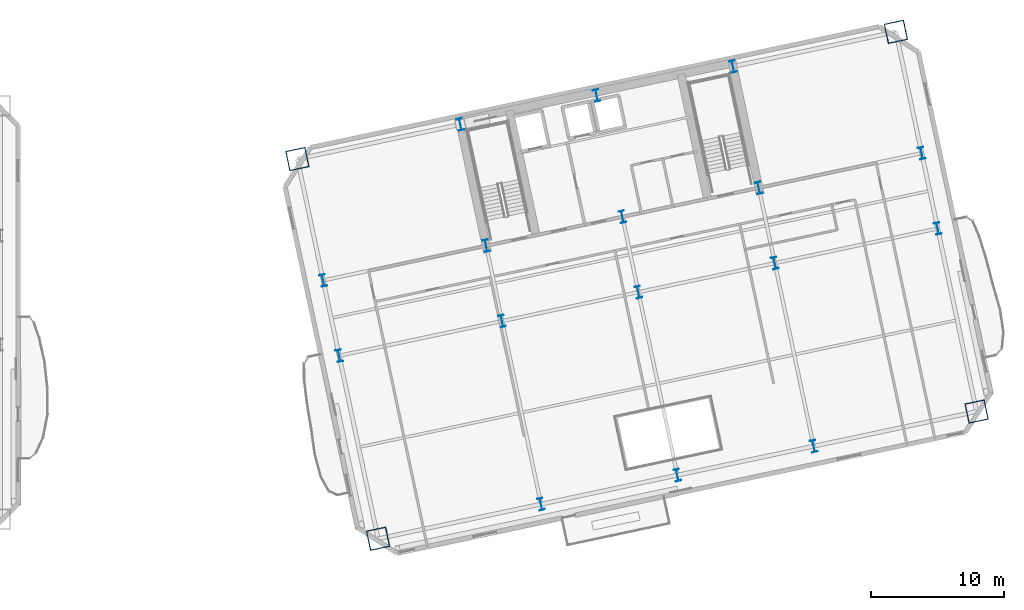
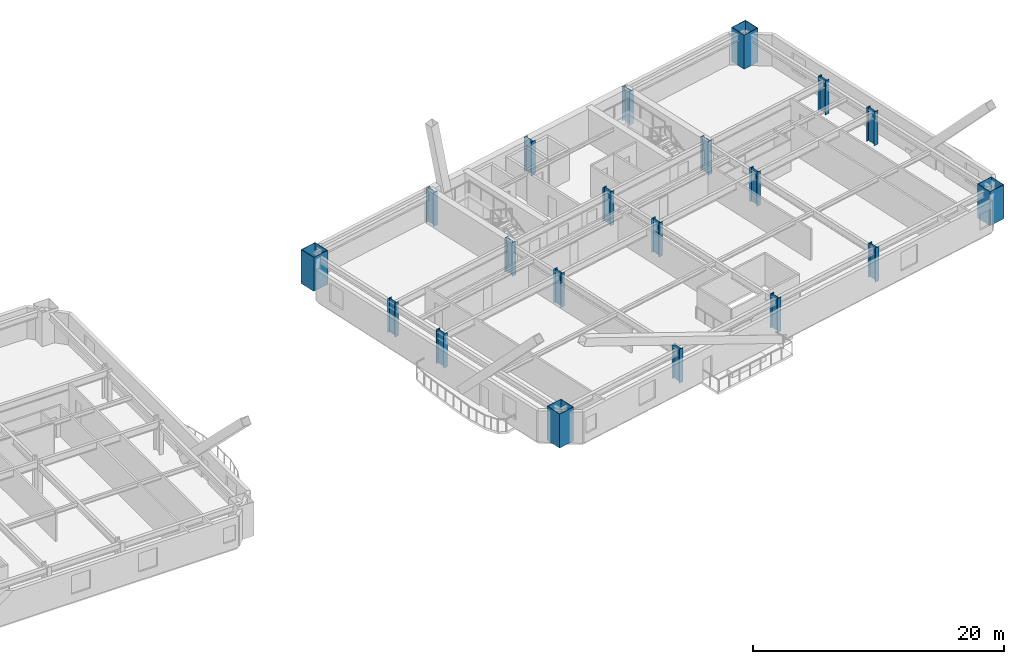
# One storey, part 2 of 18: 20 columns.
"""IFC4 building model written with IfcOpenShell, lengths in metres."""

import ifcopenshell
import ifcopenshell.guid

model = None  # the IFC model being written
_history = None  # IfcOwnerHistory: only IFC2X3 demands one
_inside = {}  # id of a spatial element -> (the spatial element, [elements in it])
_under = {}  # id of a project, library or spatial element -> (it, [spatial elements below it])
_declared = {}  # id of a project -> (the project, [libraries it declares])
_typed = {}  # id of a type object -> (the type object, [elements of that type])
_made_of = {}  # id of a material, layer set ... -> (it, [elements and type objects made of it])


def new_model(schema):
    """Start an empty IFC model of exactly this schema.

    Asked for "IFC4X3", IfcOpenShell would pick the latest addendum, in which some entities
    have other attributes; the version numbers below select the first issue.
    IFC2X3 requires an IfcOwnerHistory on every rooted entity: one is made here for all.
    """
    global model, _history
    if schema == "IFC4X3":
        model = ifcopenshell.file(schema_version=(4, 3, 0, 0))
    else:
        model = ifcopenshell.file(schema=schema)
    _inside.clear()
    _under.clear()
    _declared.clear()
    _typed.clear()
    _made_of.clear()
    _history = None
    if model.schema == "IFC2X3":
        org = make("IfcOrganization", Name="unknown")
        user = make(
            "IfcPersonAndOrganization",
            ThePerson=make("IfcPerson", FamilyName="unknown"),
            TheOrganization=org,
        )
        app = make(
            "IfcApplication",
            ApplicationDeveloper=org,
            Version="unknown",
            ApplicationFullName="unknown",
            ApplicationIdentifier="unknown",
        )
        _history = make(
            "IfcOwnerHistory",
            OwningUser=user,
            OwningApplication=app,
            ChangeAction="ADDED",
            CreationDate=0,
        )
    return model


def make(cls, **values):
    """One entity of the class cls with the attributes given. An attribute that is None is left unset."""
    return model.create_entity(
        cls, **{name: value for name, value in values.items() if value is not None}
    )


def rooted(cls, **values):
    """An entity with a GlobalId (a new one), such as an element, a storey or a relation."""
    return make(cls, GlobalId=ifcopenshell.guid.new(), OwnerHistory=_history, **values)


def si_unit(unit_type, name, prefix=None):
    """IfcSIUnit, for example si_unit("LENGTHUNIT", "METRE", prefix="MILLI")."""
    return make("IfcSIUnit", UnitType=unit_type, Prefix=prefix, Name=name)


def assignment(units):
    """IfcUnitAssignment: the units of a project."""
    return None if units is None else make("IfcUnitAssignment", Units=units)


def point(xyz):
    """IfcCartesianPoint."""
    return None if xyz is None else make("IfcCartesianPoint", Coordinates=xyz)


def direction(xyz):
    """IfcDirection."""
    return None if xyz is None else make("IfcDirection", DirectionRatios=xyz)


def frame(location, z_axis=None, x_axis=None):
    """IfcAxis2Placement3D, a coordinate frame: its origin and axes. An axis left out is left unset."""
    return make(
        "IfcAxis2Placement3D",
        Location=point(location),
        Axis=direction(z_axis),
        RefDirection=direction(x_axis),
    )


def frame_2d(location, x_axis=None):
    """IfcAxis2Placement2D, a coordinate frame in the plane: its origin and x axis."""
    return make(
        "IfcAxis2Placement2D", Location=point(location), RefDirection=direction(x_axis)
    )


def origin():
    """The frame at (0, 0, 0) with its axes left unset."""
    return frame((0.0, 0.0, 0.0))


def origin_2d():
    """The frame at (0, 0) in the plane with its x axis left unset."""
    return frame_2d((0.0, 0.0))


def place(relative_to, where):
    """IfcLocalPlacement: puts the frame where relative to a parent placement (None: the world)."""
    return make(
        "IfcLocalPlacement", PlacementRelTo=relative_to, RelativePlacement=where
    )


def context(
    kind, dimensions, precision=None, world=None, true_north=None, identifier=None
):
    """IfcGeometricRepresentationContext, for example the 3D "Model" context."""
    return make(
        "IfcGeometricRepresentationContext",
        ContextIdentifier=identifier,
        ContextType=kind,
        CoordinateSpaceDimension=dimensions,
        Precision=precision,
        WorldCoordinateSystem=world,
        TrueNorth=true_north,
    )


def subcontext(parent, identifier, kind, view, scale=None):
    """IfcGeometricRepresentationSubContext, for example "Body" below "Model"."""
    return make(
        "IfcGeometricRepresentationSubContext",
        ContextIdentifier=identifier,
        ContextType=kind,
        ParentContext=parent,
        TargetScale=scale,
        TargetView=view,
    )


def project(units=None, contexts=None):
    """IfcProject with its units and contexts."""
    return rooted(
        "IfcProject",
        Name="project",
        RepresentationContexts=contexts,
        UnitsInContext=assignment(units),
    )


def spatial(cls, under=None, at=None, **own):
    """A site, building, storey or space (cls), placed at a placement, below another one or the project."""
    s = rooted(cls, ObjectPlacement=at, **own)
    if under is not None:
        _under.setdefault(under.id(), (under, []))[1].append(s)
    return s


def profile(cls, at=None, kind="AREA", **sizes):
    """A parametric profile (cls). Its sizes go by their IFC names, for example OverallWidth=200.0."""
    return make(cls, ProfileType=kind, Position=at, **sizes)


def hollow_rectangle(**sizes):
    """IfcRectangleHollowProfileDef."""
    return profile("IfcRectangleHollowProfileDef", **sizes)


def i_section(**sizes):
    """IfcIShapeProfileDef."""
    return profile("IfcIShapeProfileDef", **sizes)


def extrude(swept, where, along, depth):
    """IfcExtrudedAreaSolid: the profile swept, set in the frame where, extruded along a direction by depth."""
    return make(
        "IfcExtrudedAreaSolid",
        SweptArea=swept,
        Position=where,
        ExtrudedDirection=direction(along),
        Depth=depth,
    )


def shape(context_of_items, identifier, shape_type, items):
    """IfcShapeRepresentation: the items that make up one representation, for example the "Body"."""
    return make(
        "IfcShapeRepresentation",
        ContextOfItems=context_of_items,
        RepresentationIdentifier=identifier,
        RepresentationType=shape_type,
        Items=items,
    )


def material(Name=None, Category=None):
    """IfcMaterial."""
    return make("IfcMaterial", Name=Name, Category=Category)


def material_profile(
    of_material, cross_section, Name=None, Category=None, Priority=None
):
    """IfcMaterialProfile: a cross section and its material."""
    return make(
        "IfcMaterialProfile",
        Name=Name,
        Material=of_material,
        Profile=cross_section,
        Priority=Priority,
        Category=Category,
    )


def profile_set(profiles, Name=None, composite=None):
    """IfcMaterialProfileSet."""
    return make(
        "IfcMaterialProfileSet",
        Name=Name,
        MaterialProfiles=profiles,
        CompositeProfile=composite,
    )


def made_of(thing, what):
    """Note that an element or type object is made of a material, layer set ...; save() writes the relation."""
    if what is not None:
        _made_of.setdefault(what.id(), (what, []))[1].append(thing)
    return thing


def type_object(cls, material=None, **own):
    """A type object (cls), such as IfcWallType, which elements share."""
    return made_of(rooted(cls, **own), material)


def element(
    cls,
    number,
    at=None,
    inside=None,
    cuts=None,
    type_object=None,
    material=None,
    context=None,
    identifier="Body",
    shape_type=None,
    held_by="IfcProductDefinitionShape",
    body=None,
    shapes=None,
    **own,
):
    """One element of the class cls, such as IfcWall. Its Tag is "e" and its number.

    at: its placement. inside: the storey or other place that contains it. cuts: it is an
    opening in that element (IfcRelVoidsElement). A single representation is given by context,
    identifier, shape_type and body (its items); several are given by shapes. held_by: the class
    of the entity that holds the representations. save() writes the other relations.
    """
    e = rooted(cls, Tag="e%d" % number, ObjectPlacement=at, **own)
    if body is not None:
        shapes = [shape(context, identifier, shape_type, body)]
    if shapes is not None:
        e.Representation = make(held_by, Representations=shapes)
    if inside is not None:
        _inside.setdefault(inside.id(), (inside, []))[1].append(e)
    if cuts is not None:
        rooted(
            "IfcRelVoidsElement", RelatingBuildingElement=cuts, RelatedOpeningElement=e
        )
    if type_object is not None:
        _typed.setdefault(type_object.id(), (type_object, []))[1].append(e)
    return made_of(e, material)


def aggregate(whole, parts):
    """IfcRelAggregates: a whole, such as a stair, and the parts it consists of."""
    return rooted("IfcRelAggregates", RelatingObject=whole, RelatedObjects=parts)


def save(model, path):
    """Write the relations noted so far, then the file.

    IfcRelAggregates (storeys below a building ...), IfcRelContainedInSpatialStructure (elements
    in a storey), IfcRelDefinesByType, IfcRelAssociatesMaterial and IfcRelDeclares: one each for
    every whole, place, type object, material and project.
    """
    for whole, parts in _under.values():
        aggregate(whole, parts)
    for where, things in _inside.values():
        rooted(
            "IfcRelContainedInSpatialStructure",
            RelatedElements=things,
            RelatingStructure=where,
        )
    for kind, things in _typed.values():
        rooted("IfcRelDefinesByType", RelatedObjects=things, RelatingType=kind)
    for what, things in _made_of.values():
        rooted("IfcRelAssociatesMaterial", RelatedObjects=things, RelatingMaterial=what)
    for by, libraries in _declared.values():
        rooted("IfcRelDeclares", RelatingContext=by, RelatedDefinitions=libraries)
    model.write(path)


model = new_model("IFC4")

# Units and contexts
model_context = context("Model", 3, precision=1e-05, world=origin(), true_north=direction((0.0, 1.0)))
body_context = subcontext(model_context, "Body", "Model", "MODEL_VIEW")
ifc_project = project(units=[si_unit("LENGTHUNIT", "METRE"), si_unit("AREAUNIT", "SQUARE_METRE"), si_unit("VOLUMEUNIT", "CUBIC_METRE"), si_unit("PLANEANGLEUNIT", "RADIAN"), si_unit("MASSUNIT", "GRAM", prefix="KILO")], contexts=[model_context])

# Site, building, storey
site_placement = place(None, origin())
site = spatial("IfcSite", under=ifc_project, at=site_placement, CompositionType="ELEMENT")
building_placement = place(site_placement, origin())
building = spatial("IfcBuilding", under=site, at=building_placement, Name="Haevon Station Towers", CompositionType="ELEMENT")
storey_placement = place(building_placement, frame((0.0, 0.0, 60.300048828125)))
storey = spatial("IfcBuildingStorey", under=building, at=storey_placement, Name="L15", CompositionType="ELEMENT", Elevation=60.300048828125)

# Columns
ifc_material = material(Name="Steel S460", Category="steel")
ifc_material_profile_1 = material_profile(ifc_material, hollow_rectangle(XDim=1.5, YDim=1.5, WallThickness=0.0400390625, at=origin_2d()), Name="BOX-1500x1500x40")
ifc_profile_set_1 = profile_set([ifc_material_profile_1], Name="Steel S460")
column_type_1 = type_object("IfcColumnType", Name="COL-MC2", PredefinedType="COLUMN", material=ifc_profile_set_1)
for number, where, z_axis, x_axis, name in (
    (1, (90.614013671875, 15.367919921875, 0.0), (0.0, 0.0, 1.0), (0.978147600734, 0.207911690818, 0.0), "COL-T2-L15-01-01"),
    (2, (84.53271484375, 43.978759765625, 0.0), (0.0, 0.0, 1.0), (0.978147600734, 0.207911690818, 0.0), "COL-T2-L15-01-04"),
    (3, (135.70654296875, 24.95263671875, 0.0), (0.0, 0.0, 1.0), (0.978147600734, 0.207911690818, 0.0), "COL-T2-L15-05-01"),
    (4, (129.625244140625, 53.5634765625, 0.0), (0.0, 0.0, 1.0), (0.978147600734, 0.207911690818, 0.0), "COL-T2-L15-05-04"),
):
    element("IfcColumn", number, at=place(storey_placement, frame(where, z_axis=z_axis, x_axis=x_axis)), inside=storey, type_object=column_type_1, Name=name, PredefinedType="COLUMN", context=body_context, shape_type="SweptSolid", body=[
        extrude(hollow_rectangle(XDim=1.5, YDim=1.5, WallThickness=0.0400390625, at=origin_2d()), origin(), (0.0, 0.0, 1.0), 3.300048828125),
    ])
ifc_material_profile_2 = material_profile(ifc_material, i_section(OverallWidth=0.39990234375, OverallDepth=0.89990234375, WebThickness=0.02001953125, FlangeThickness=0.035888671875, at=origin_2d()), Name="H-900x400x20x36")
ifc_profile_set_2 = profile_set([ifc_material_profile_2], Name="Steel S460")
column_type_2 = type_object("IfcColumnType", Name="COL-TW1", PredefinedType="COLUMN", material=ifc_profile_set_2)
for number, where, z_axis, x_axis, name in (
    (5, (87.682373046875, 29.159912109375, 0.0), (0.0, 0.0, 1.0), (0.978147600734, 0.207911690818, 0.0), "COL-T2-L15-01-02"),
    (6, (86.4765625, 34.8330078125, 0.0), (0.0, 0.0, 1.0), (0.978147600734, 0.207911690818, 0.0), "COL-T2-L15-01-03"),
    (7, (102.889892578125, 17.977294921875, 0.0), (0.0, 0.0, 1.0), (0.978147600734, 0.207911690818, 0.0), "COL-T2-L15-02-01"),
    (8, (99.958251953125, 31.76904296875, 0.0), (0.0, 0.0, 1.0), (0.978147600734, 0.207911690818, 0.0), "COL-T2-L15-02-02"),
    (9, (98.75244140625, 37.4423828125, 0.0), (0.0, 0.0, 1.0), (0.978147600734, 0.207911690818, 0.0), "COL-T2-L15-02-03"),
    (10, (96.808349609375, 46.588134765625, 0.0), (0.0, 0.0, 1.0), (0.978147600734, 0.207911690818, 0.0), "COL-T2-L15-02-04"),
    (11, (113.160400390625, 20.160400390625, 0.0), (0.0, 0.0, 1.0), (0.978147600734, 0.207911690818, 0.0), "COL-T2-L15-03-01"),
    (12, (110.228759765625, 33.9521484375, 0.0), (0.0, 0.0, 1.0), (0.978147600734, 0.207911690818, 0.0), "COL-T2-L15-03-02"),
    (13, (109.02294921875, 39.62548828125, 0.0), (0.0, 0.0, 1.0), (0.978147600734, 0.207911690818, 0.0), "COL-T2-L15-03-03"),
    (14, (107.078857421875, 48.771240234375, 0.0), (0.0, 0.0, 1.0), (0.978147600734, 0.207911690818, 0.0), "COL-T2-L15-03-04"),
    (15, (123.430908203125, 22.343505859375, 0.0), (0.0, 0.0, 1.0), (0.978147600734, 0.207911690818, 0.0), "COL-T2-L15-04-01"),
    (16, (120.499267578125, 36.13525390625, 0.0), (0.0, 0.0, 1.0), (0.978147600734, 0.207911690818, 0.0), "COL-T2-L15-04-02"),
    (17, (119.29345703125, 41.80859375, 0.0), (0.0, 0.0, 1.0), (0.978147600734, 0.207911690818, 0.0), "COL-T2-L15-04-03"),
    (18, (117.349365234375, 50.954345703125, 0.0), (0.0, 0.0, 1.0), (0.978147600734, 0.207911690818, 0.0), "COL-T2-L15-04-04"),
    (19, (132.775146484375, 38.74462890625, 0.0), (0.0, 0.0, 1.0), (0.978147600734, 0.207911690818, 0.0), "COL-T2-L15-05-02"),
    (20, (131.569091796875, 44.41796875, 0.0), (0.0, 0.0, 1.0), (0.978147600734, 0.207911690818, 0.0), "COL-T2-L15-05-03"),
):
    element("IfcColumn", number, at=place(storey_placement, frame(where, z_axis=z_axis, x_axis=x_axis)), inside=storey, type_object=column_type_2, Name=name, PredefinedType="COLUMN", context=body_context, shape_type="SweptSolid", body=[
        extrude(i_section(OverallWidth=0.39990234375, OverallDepth=0.89990234375, WebThickness=0.02001953125, FlangeThickness=0.035888671875, at=origin_2d()), origin(), (0.0, 0.0, 1.0), 3.300048828125),
    ])

save(model, "model.ifc")
